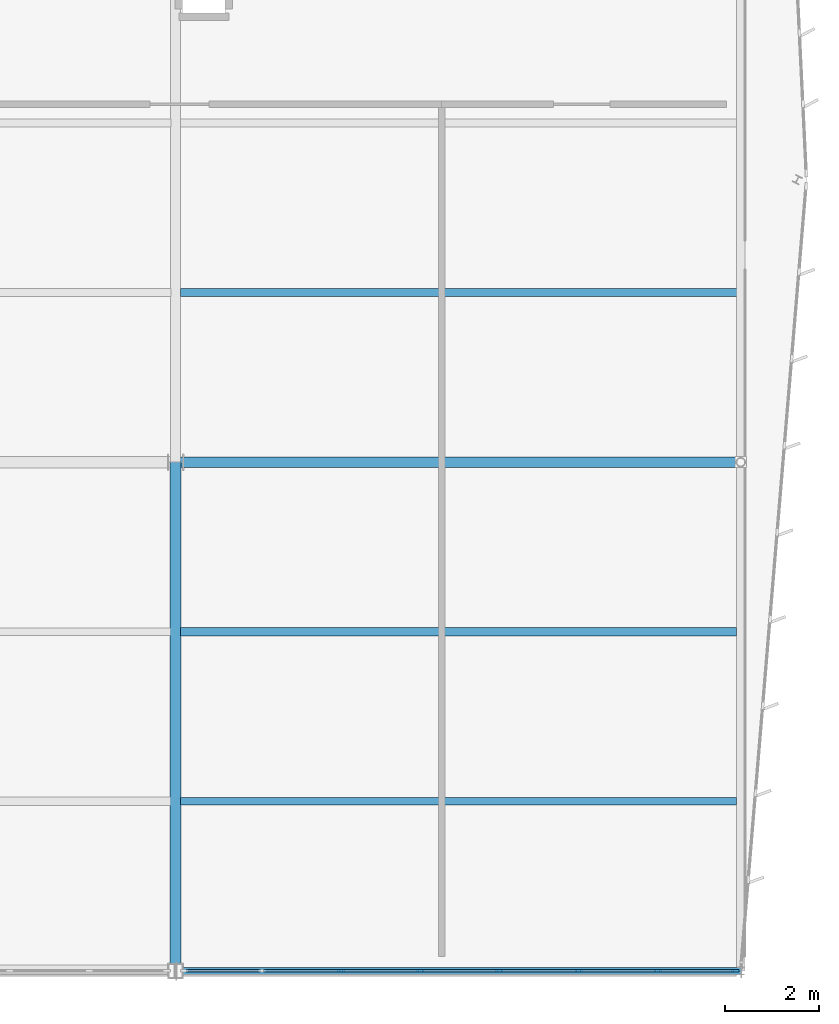
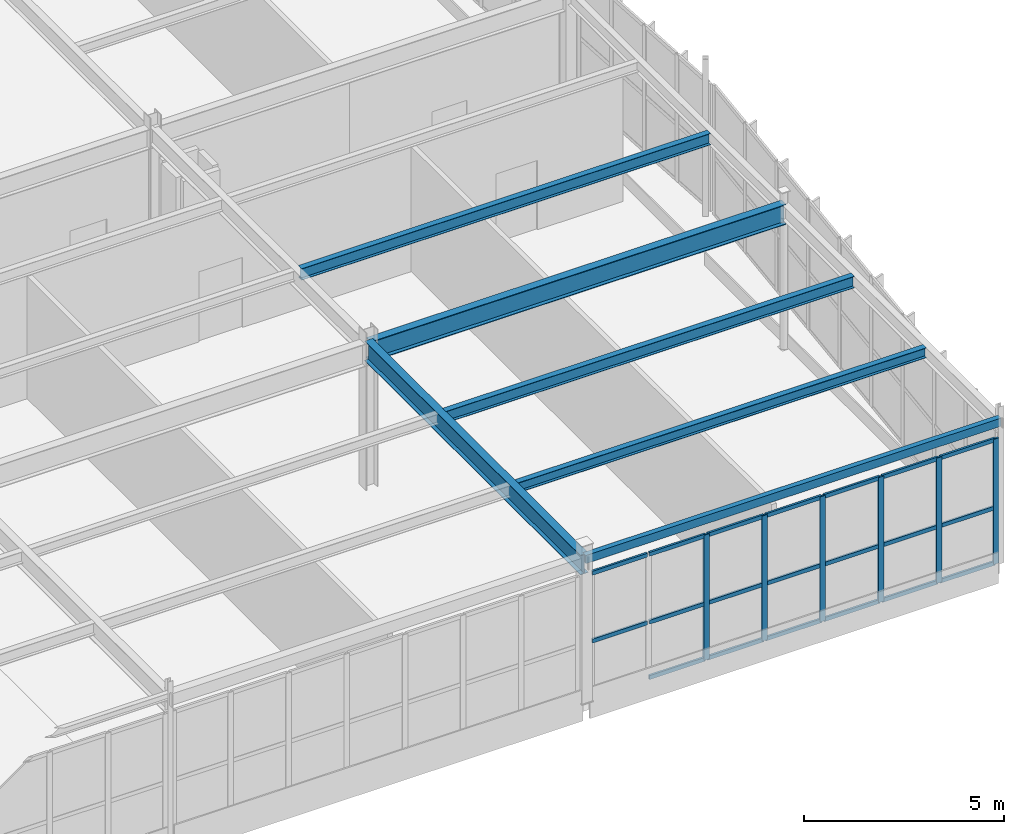
# One storey, part 90 of 186: 26 members, 6 beams, 1 element without a shape of its own.
"""IFC4 building model written with IfcOpenShell, lengths in metres."""

from ifc_helpers import new_model, si_unit, direction, frame, origin, origin_2d, place, context, subcontext, project, spatial, rectangle, hollow_rectangle, i_section, extrude, material, layer, layer_set, material_profile, profile_set, type_object, element, aggregate, save


model = new_model("IFC4")

# Units and contexts
model_context = context("Model", 3, precision=1e-05, world=origin(), true_north=direction((0.0, 1.0)))
body_context = subcontext(model_context, "Body", "Model", "MODEL_VIEW")
ifc_project = project(units=[si_unit("LENGTHUNIT", "METRE"), si_unit("AREAUNIT", "SQUARE_METRE"), si_unit("VOLUMEUNIT", "CUBIC_METRE"), si_unit("PLANEANGLEUNIT", "RADIAN"), si_unit("MASSUNIT", "GRAM", prefix="KILO")], contexts=[model_context])

# Site, building, storey
site_placement = place(None, origin())
site = spatial("IfcSite", under=ifc_project, at=site_placement, CompositionType="ELEMENT")
building_placement = place(site_placement, origin())
building = spatial("IfcBuilding", under=site, at=building_placement, Name="Tarnwether General Hospital", CompositionType="ELEMENT")
storey_placement = place(building_placement, frame((0.0, 0.0, 9.60009765625)))
storey = spatial("IfcBuildingStorey", under=building, at=storey_placement, Name="L02", CompositionType="ELEMENT", Elevation=9.60009765625)

# Beams
ifc_material_1 = material(Name="Steel Grade 350 (350 MPa)", Category="steel")
ifc_material_profile_1 = material_profile(ifc_material_1, i_section(OverallWidth=0.22900390625, OverallDepth=0.612060546875, WebThickness=0.011962890625, FlangeThickness=0.01953125, at=origin_2d()), Name="610UB125")
ifc_profile_set_1 = profile_set([ifc_material_profile_1], Name="Steel Grade 350 (350 MPa)")
beam_type_1 = type_object("IfcBeamType", Name="BM-G03", PredefinedType="BEAM", material=ifc_profile_set_1)
beam_1_placement = place(storey_placement, frame((180.0, 10.800048828125, 4.1337890625), z_axis=(1.0, 0.0, 0.0), x_axis=(0.0, 1.0, 0.0)))
element("IfcBeam", 1, at=beam_1_placement, inside=storey, type_object=beam_type_1, Name="Primary Girder BMG-L02-18000_1080-19200_1080-1624", PredefinedType="BEAM", context=body_context, shape_type="SweptSolid", body=[
    extrude(i_section(OverallWidth=0.22900390625, OverallDepth=0.612060546875, WebThickness=0.011962890625, FlangeThickness=0.01953125, at=origin_2d()), origin(), (0.0, 0.0, 1.0), 12.0),
])
ifc_material_2 = material(Name="Steel Grade 350 (350 MPa)", Category="steel")
ifc_material_profile_2 = material_profile(ifc_material_2, i_section(OverallWidth=0.22802734375, OverallDepth=0.60205078125, WebThickness=0.010498046875, FlangeThickness=0.014892578125, at=origin_2d()), Name="610UB101")
ifc_profile_set_2 = profile_set([ifc_material_profile_2], Name="Steel Grade 350 (350 MPa)")
beam_type_2 = type_object("IfcBeamType", Name="BM-G05", PredefinedType="BEAM", material=ifc_profile_set_2)
beam_2_placement = place(storey_placement, frame((180.0, 0.0, 4.138916015625), z_axis=(0.0, 1.0, 0.0), x_axis=(-1.0, 0.0, 0.0)))
element("IfcBeam", 2, at=beam_2_placement, inside=storey, type_object=beam_type_2, Name="Primary Girder BMG-L02-18000_0-18000_1080-1623", PredefinedType="BEAM", context=body_context, shape_type="SweptSolid", body=[
    extrude(i_section(OverallWidth=0.22802734375, OverallDepth=0.60205078125, WebThickness=0.010498046875, FlangeThickness=0.014892578125, at=origin_2d()), origin(), (0.0, 0.0, 1.0), 10.800048828125),
])
ifc_material_3 = material(Name="Steel Grade 350 (350 MPa)", Category="steel")
ifc_material_profile_3 = material_profile(ifc_material_3, i_section(OverallWidth=0.166015625, OverallDepth=0.306884765625, WebThickness=0.006591796875, FlangeThickness=0.01171875, at=origin_2d()), Name="310UB46.2")
ifc_profile_set_3 = profile_set([ifc_material_profile_3], Name="Steel Grade 350 (350 MPa)")
beam_type_3 = type_object("IfcBeamType", Name="BM-J05", PredefinedType="JOIST", material=ifc_profile_set_3)
beam_3_placement = place(storey_placement, frame((180.10791015625, 3.60009765625, 4.286376953125), z_axis=(1.0, 0.0, 0.0), x_axis=(0.0, 1.0, 0.0)))
element("IfcBeam", 3, at=beam_3_placement, inside=storey, type_object=beam_type_3, Name="Composite Floor Joist BMG-L02-18011_360-19191_360-1740", PredefinedType="JOIST", context=body_context, shape_type="SweptSolid", body=[
    extrude(i_section(OverallWidth=0.166015625, OverallDepth=0.306884765625, WebThickness=0.006591796875, FlangeThickness=0.01171875, at=origin_2d()), origin(), (0.0, 0.0, 1.0), 11.802978515625),
])
ifc_material_4 = material(Name="Steel Grade 350 (350 MPa)", Category="steel")
ifc_material_profile_4 = material_profile(ifc_material_4, i_section(OverallWidth=0.1708984375, OverallDepth=0.35205078125, WebThickness=0.0068359375, FlangeThickness=0.009765625, at=origin_2d()), Name="360UB44.7")
ifc_profile_set_4 = profile_set([ifc_material_profile_4], Name="Steel Grade 350 (350 MPa)")
beam_type_4 = type_object("IfcBeamType", Name="BM-J06", PredefinedType="JOIST", material=ifc_profile_set_4)
beam_4_placement = place(storey_placement, frame((180.10791015625, 7.199951171875, 4.263916015625), z_axis=(1.0, 0.0, 0.0), x_axis=(0.0, 1.0, 0.0)))
element("IfcBeam", 4, at=beam_4_placement, inside=storey, type_object=beam_type_4, Name="Composite Floor Joist BMG-L02-18011_720-19191_720-1741", PredefinedType="JOIST", context=body_context, shape_type="SweptSolid", body=[
    extrude(i_section(OverallWidth=0.1708984375, OverallDepth=0.35205078125, WebThickness=0.0068359375, FlangeThickness=0.009765625, at=origin_2d()), origin(), (0.0, 0.0, 1.0), 11.802978515625),
])
beam_5_placement = place(storey_placement, frame((180.09912109375, 14.39990234375, 4.263916015625), z_axis=(1.0, 0.0, 0.0), x_axis=(0.0, 1.0, 0.0)))
element("IfcBeam", 5, at=beam_5_placement, inside=storey, type_object=beam_type_4, Name="Composite Floor Joist BMG-L02-18010_1440-19192_1440-1742", PredefinedType="JOIST", context=body_context, shape_type="SweptSolid", body=[
    extrude(i_section(OverallWidth=0.1708984375, OverallDepth=0.35205078125, WebThickness=0.0068359375, FlangeThickness=0.009765625, at=origin_2d()), origin(), (0.0, 0.0, 1.0), 11.81787109375),
])
ifc_material_5 = material(Name="Steel Grade C350L0 (350 MPa)", Category="steel")
ifc_material_profile_5 = material_profile(ifc_material_5, hollow_rectangle(XDim=0.14990234375, YDim=0.25, WallThickness=0.008056640625, at=origin_2d()), Name="RHS250x150x8")
ifc_profile_set_5 = profile_set([ifc_material_profile_5], Name="Steel Grade C350L0 (350 MPa)")
beam_type_5 = type_object("IfcBeamType", Name="BM-SP8", PredefinedType="SPANDREL", material=ifc_profile_set_5)
beam_6_placement = place(storey_placement, frame((180.0, 0.0, 4.31494140625), z_axis=(1.0, 0.0, 0.0), x_axis=(0.0, 1.0, 0.0)))
element("IfcBeam", 6, at=beam_6_placement, inside=storey, type_object=beam_type_5, Name="Primary Girder BMG-L02-18000_0-19200_0-1622", PredefinedType="SPANDREL", context=body_context, shape_type="SweptSolid", body=[
    extrude(hollow_rectangle(XDim=0.14990234375, YDim=0.25, WallThickness=0.008056640625, at=origin_2d()), origin(), (0.0, 0.0, 1.0), 12.0),
])

# Curtain wall, members
ifc_material_6 = material(Name="Anodised aluminium", Category="aluminium")
ifc_layer = layer(ifc_material_6, 0.159912109375)
ifc_layer_set = layer_set([ifc_layer], Name="Anodised aluminium")
curtain_wall_type = type_object("IfcCurtainWallType", Name="CW-19", PredefinedType="NOTDEFINED", material=ifc_layer_set)
curtain_wall_placement = place(storey_placement, origin())
curtain_wall = element("IfcCurtainWall", 7, at=curtain_wall_placement, inside=storey, type_object=curtain_wall_type, Name="Curtain Wall CWG-L02-1919_0-0456", PredefinedType="NOTDEFINED")
ifc_material_7 = material(Name="Anodised aluminium", Category="aluminium")
ifc_material_profile_6 = material_profile(ifc_material_7, rectangle(XDim=0.06005859375, YDim=0.159912109375, at=origin_2d()), Name="ALU-MUL-60x160")
ifc_profile_set_6 = profile_set([ifc_material_profile_6], Name="Anodised aluminium")
member_type_1 = type_object("IfcMemberType", Name="CW-ML1", PredefinedType="MULLION", material=ifc_profile_set_6)
member_1_placement = place(storey_placement, frame((191.885009765625, 0.0, 0.0), z_axis=(0.0, 0.0, 1.0), x_axis=(0.0, -1.0, 0.0)))
member_1 = element("IfcMember", 8, at=member_1_placement, type_object=member_type_1, Name="CW-19 mullion 1", PredefinedType="MULLION", context=body_context, shape_type="SweptSolid", body=[
    extrude(rectangle(XDim=0.06005859375, YDim=0.159912109375, at=origin_2d()), origin(), (0.0, 0.0, 1.0), 3.822998046875),
])
member_2_placement = place(storey_placement, frame((190.2353515625, 0.0, 0.0), z_axis=(0.0, 0.0, 1.0), x_axis=(0.0, -1.0, 0.0)))
member_2 = element("IfcMember", 9, at=member_2_placement, type_object=member_type_1, Name="CW-19 mullion 2", PredefinedType="MULLION", context=body_context, shape_type="SweptSolid", body=[
    extrude(rectangle(XDim=0.06005859375, YDim=0.159912109375, at=origin_2d()), origin(), (0.0, 0.0, 1.0), 3.822998046875),
])
member_3_placement = place(storey_placement, frame((188.555908203125, 0.0, 0.0), z_axis=(0.0, 0.0, 1.0), x_axis=(0.0, -1.0, 0.0)))
member_3 = element("IfcMember", 10, at=member_3_placement, type_object=member_type_1, Name="CW-19 mullion 3", PredefinedType="MULLION", context=body_context, shape_type="SweptSolid", body=[
    extrude(rectangle(XDim=0.06005859375, YDim=0.159912109375, at=origin_2d()), origin(), (0.0, 0.0, 1.0), 3.822998046875),
])
member_4_placement = place(storey_placement, frame((186.876220703125, 0.0, 0.0), z_axis=(0.0, 0.0, 1.0), x_axis=(0.0, -1.0, 0.0)))
member_4 = element("IfcMember", 11, at=member_4_placement, type_object=member_type_1, Name="CW-19 mullion 4", PredefinedType="MULLION", context=body_context, shape_type="SweptSolid", body=[
    extrude(rectangle(XDim=0.06005859375, YDim=0.159912109375, at=origin_2d()), origin(), (0.0, 0.0, 1.0), 3.822998046875),
])
member_5_placement = place(storey_placement, frame((185.19677734375, 0.0, 0.0), z_axis=(0.0, 0.0, 1.0), x_axis=(0.0, -1.0, 0.0)))
member_5 = element("IfcMember", 12, at=member_5_placement, type_object=member_type_1, Name="CW-19 mullion 5", PredefinedType="MULLION", context=body_context, shape_type="SweptSolid", body=[
    extrude(rectangle(XDim=0.06005859375, YDim=0.159912109375, at=origin_2d()), origin(), (0.0, 0.0, 1.0), 3.822998046875),
])
member_6_placement = place(storey_placement, frame((183.51708984375, 0.0, 0.0), z_axis=(0.0, 0.0, 1.0), x_axis=(0.0, -1.0, 0.0)))
member_6 = element("IfcMember", 13, at=member_6_placement, type_object=member_type_1, Name="CW-19 mullion 6", PredefinedType="MULLION", context=body_context, shape_type="SweptSolid", body=[
    extrude(rectangle(XDim=0.06005859375, YDim=0.159912109375, at=origin_2d()), origin(), (0.0, 0.0, 1.0), 3.822998046875),
])
ifc_material_8 = material(Name="Anodised aluminium", Category="aluminium")
ifc_material_profile_7 = material_profile(ifc_material_8, rectangle(XDim=0.06005859375, YDim=0.1201171875, at=origin_2d()), Name="ALU-TRN-60x120")
ifc_profile_set_7 = profile_set([ifc_material_profile_7], Name="Anodised aluminium")
member_type_2 = type_object("IfcMemberType", Name="CW-TR1", PredefinedType="USERDEFINED", material=ifc_profile_set_7)
member_7_placement = place(storey_placement, frame((191.85498046875, 0.0, 0.02978515625), z_axis=(-1.0, 0.0, 0.0), x_axis=(0.0, -1.0, 0.0)))
member_7 = element("IfcMember", 14, at=member_7_placement, type_object=member_type_2, Name="CW-19 transom 1.1", ObjectType="TRANSOM", PredefinedType="USERDEFINED", context=body_context, shape_type="SweptSolid", body=[
    extrude(rectangle(XDim=0.06005859375, YDim=0.1201171875, at=origin_2d()), origin(), (0.0, 0.0, 1.0), 1.589599609375),
])
member_8_placement = place(storey_placement, frame((191.85498046875, 0.0, 1.72021484375), z_axis=(-1.0, 0.0, 0.0), x_axis=(0.0, -1.0, 0.0)))
member_8 = element("IfcMember", 15, at=member_8_placement, type_object=member_type_2, Name="CW-19 transom 1.2", ObjectType="TRANSOM", PredefinedType="USERDEFINED", context=body_context, shape_type="SweptSolid", body=[
    extrude(rectangle(XDim=0.06005859375, YDim=0.1201171875, at=origin_2d()), origin(), (0.0, 0.0, 1.0), 1.589599609375),
])
member_9_placement = place(storey_placement, frame((191.85498046875, 0.0, 3.79296875), z_axis=(-1.0, 0.0, 0.0), x_axis=(0.0, -1.0, 0.0)))
member_9 = element("IfcMember", 16, at=member_9_placement, type_object=member_type_2, Name="CW-19 transom 1.3", ObjectType="TRANSOM", PredefinedType="USERDEFINED", context=body_context, shape_type="SweptSolid", body=[
    extrude(rectangle(XDim=0.06005859375, YDim=0.1201171875, at=origin_2d()), origin(), (0.0, 0.0, 1.0), 1.589599609375),
])
member_10_placement = place(storey_placement, frame((190.205322265625, 0.0, 0.02978515625), z_axis=(-1.0, 0.0, 0.0), x_axis=(0.0, -1.0, 0.0)))
member_10 = element("IfcMember", 17, at=member_10_placement, type_object=member_type_2, Name="CW-19 transom 2.1", ObjectType="TRANSOM", PredefinedType="USERDEFINED", context=body_context, shape_type="SweptSolid", body=[
    extrude(rectangle(XDim=0.06005859375, YDim=0.1201171875, at=origin_2d()), origin(), (0.0, 0.0, 1.0), 1.619384765625),
])
member_11_placement = place(storey_placement, frame((190.205322265625, 0.0, 1.72021484375), z_axis=(-1.0, 0.0, 0.0), x_axis=(0.0, -1.0, 0.0)))
member_11 = element("IfcMember", 18, at=member_11_placement, type_object=member_type_2, Name="CW-19 transom 2.2", ObjectType="TRANSOM", PredefinedType="USERDEFINED", context=body_context, shape_type="SweptSolid", body=[
    extrude(rectangle(XDim=0.06005859375, YDim=0.1201171875, at=origin_2d()), origin(), (0.0, 0.0, 1.0), 1.619384765625),
])
member_12_placement = place(storey_placement, frame((190.205322265625, 0.0, 3.79296875), z_axis=(-1.0, 0.0, 0.0), x_axis=(0.0, -1.0, 0.0)))
member_12 = element("IfcMember", 19, at=member_12_placement, type_object=member_type_2, Name="CW-19 transom 2.3", ObjectType="TRANSOM", PredefinedType="USERDEFINED", context=body_context, shape_type="SweptSolid", body=[
    extrude(rectangle(XDim=0.06005859375, YDim=0.1201171875, at=origin_2d()), origin(), (0.0, 0.0, 1.0), 1.619384765625),
])
member_13_placement = place(storey_placement, frame((188.52587890625, 0.0, 0.02978515625), z_axis=(-1.0, 0.0, 0.0), x_axis=(0.0, -1.0, 0.0)))
member_13 = element("IfcMember", 20, at=member_13_placement, type_object=member_type_2, Name="CW-19 transom 3.1", ObjectType="TRANSOM", PredefinedType="USERDEFINED", context=body_context, shape_type="SweptSolid", body=[
    extrude(rectangle(XDim=0.06005859375, YDim=0.1201171875, at=origin_2d()), origin(), (0.0, 0.0, 1.0), 1.61962890625),
])
member_14_placement = place(storey_placement, frame((188.52587890625, 0.0, 1.72021484375), z_axis=(-1.0, 0.0, 0.0), x_axis=(0.0, -1.0, 0.0)))
member_14 = element("IfcMember", 21, at=member_14_placement, type_object=member_type_2, Name="CW-19 transom 3.2", ObjectType="TRANSOM", PredefinedType="USERDEFINED", context=body_context, shape_type="SweptSolid", body=[
    extrude(rectangle(XDim=0.06005859375, YDim=0.1201171875, at=origin_2d()), origin(), (0.0, 0.0, 1.0), 1.61962890625),
])
member_15_placement = place(storey_placement, frame((188.52587890625, 0.0, 3.79296875), z_axis=(-1.0, 0.0, 0.0), x_axis=(0.0, -1.0, 0.0)))
member_15 = element("IfcMember", 22, at=member_15_placement, type_object=member_type_2, Name="CW-19 transom 3.3", ObjectType="TRANSOM", PredefinedType="USERDEFINED", context=body_context, shape_type="SweptSolid", body=[
    extrude(rectangle(XDim=0.06005859375, YDim=0.1201171875, at=origin_2d()), origin(), (0.0, 0.0, 1.0), 1.61962890625),
])
member_16_placement = place(storey_placement, frame((186.84619140625, 0.0, 0.02978515625), z_axis=(-1.0, 0.0, 0.0), x_axis=(0.0, -1.0, 0.0)))
member_16 = element("IfcMember", 23, at=member_16_placement, type_object=member_type_2, Name="CW-19 transom 4.1", ObjectType="TRANSOM", PredefinedType="USERDEFINED", context=body_context, shape_type="SweptSolid", body=[
    extrude(rectangle(XDim=0.06005859375, YDim=0.1201171875, at=origin_2d()), origin(), (0.0, 0.0, 1.0), 1.619384765625),
])
member_17_placement = place(storey_placement, frame((186.84619140625, 0.0, 1.72021484375), z_axis=(-1.0, 0.0, 0.0), x_axis=(0.0, -1.0, 0.0)))
member_17 = element("IfcMember", 24, at=member_17_placement, type_object=member_type_2, Name="CW-19 transom 4.2", ObjectType="TRANSOM", PredefinedType="USERDEFINED", context=body_context, shape_type="SweptSolid", body=[
    extrude(rectangle(XDim=0.06005859375, YDim=0.1201171875, at=origin_2d()), origin(), (0.0, 0.0, 1.0), 1.619384765625),
])
member_18_placement = place(storey_placement, frame((186.84619140625, 0.0, 3.79296875), z_axis=(-1.0, 0.0, 0.0), x_axis=(0.0, -1.0, 0.0)))
member_18 = element("IfcMember", 25, at=member_18_placement, type_object=member_type_2, Name="CW-19 transom 4.3", ObjectType="TRANSOM", PredefinedType="USERDEFINED", context=body_context, shape_type="SweptSolid", body=[
    extrude(rectangle(XDim=0.06005859375, YDim=0.1201171875, at=origin_2d()), origin(), (0.0, 0.0, 1.0), 1.619384765625),
])
member_19_placement = place(storey_placement, frame((185.166748046875, 0.0, 0.02978515625), z_axis=(-1.0, 0.0, 0.0), x_axis=(0.0, -1.0, 0.0)))
member_19 = element("IfcMember", 26, at=member_19_placement, type_object=member_type_2, Name="CW-19 transom 5.1", ObjectType="TRANSOM", PredefinedType="USERDEFINED", context=body_context, shape_type="SweptSolid", body=[
    extrude(rectangle(XDim=0.06005859375, YDim=0.1201171875, at=origin_2d()), origin(), (0.0, 0.0, 1.0), 1.61962890625),
])
member_20_placement = place(storey_placement, frame((185.166748046875, 0.0, 1.72021484375), z_axis=(-1.0, 0.0, 0.0), x_axis=(0.0, -1.0, 0.0)))
member_20 = element("IfcMember", 27, at=member_20_placement, type_object=member_type_2, Name="CW-19 transom 5.2", ObjectType="TRANSOM", PredefinedType="USERDEFINED", context=body_context, shape_type="SweptSolid", body=[
    extrude(rectangle(XDim=0.06005859375, YDim=0.1201171875, at=origin_2d()), origin(), (0.0, 0.0, 1.0), 1.61962890625),
])
member_21_placement = place(storey_placement, frame((185.166748046875, 0.0, 3.79296875), z_axis=(-1.0, 0.0, 0.0), x_axis=(0.0, -1.0, 0.0)))
member_21 = element("IfcMember", 28, at=member_21_placement, type_object=member_type_2, Name="CW-19 transom 5.3", ObjectType="TRANSOM", PredefinedType="USERDEFINED", context=body_context, shape_type="SweptSolid", body=[
    extrude(rectangle(XDim=0.06005859375, YDim=0.1201171875, at=origin_2d()), origin(), (0.0, 0.0, 1.0), 1.61962890625),
])
member_22_placement = place(storey_placement, frame((183.487060546875, 0.0, 0.02978515625), z_axis=(-1.0, 0.0, 0.0), x_axis=(0.0, -1.0, 0.0)))
member_22 = element("IfcMember", 29, at=member_22_placement, type_object=member_type_2, Name="CW-19 transom 6.1", ObjectType="TRANSOM", PredefinedType="USERDEFINED", context=body_context, shape_type="SweptSolid", body=[
    extrude(rectangle(XDim=0.06005859375, YDim=0.1201171875, at=origin_2d()), origin(), (0.0, 0.0, 1.0), 1.619384765625),
])
member_23_placement = place(storey_placement, frame((183.487060546875, 0.0, 1.72021484375), z_axis=(-1.0, 0.0, 0.0), x_axis=(0.0, -1.0, 0.0)))
member_23 = element("IfcMember", 30, at=member_23_placement, type_object=member_type_2, Name="CW-19 transom 6.2", ObjectType="TRANSOM", PredefinedType="USERDEFINED", context=body_context, shape_type="SweptSolid", body=[
    extrude(rectangle(XDim=0.06005859375, YDim=0.1201171875, at=origin_2d()), origin(), (0.0, 0.0, 1.0), 1.619384765625),
])
member_24_placement = place(storey_placement, frame((183.487060546875, 0.0, 3.79296875), z_axis=(-1.0, 0.0, 0.0), x_axis=(0.0, -1.0, 0.0)))
member_24 = element("IfcMember", 31, at=member_24_placement, type_object=member_type_2, Name="CW-19 transom 6.3", ObjectType="TRANSOM", PredefinedType="USERDEFINED", context=body_context, shape_type="SweptSolid", body=[
    extrude(rectangle(XDim=0.06005859375, YDim=0.1201171875, at=origin_2d()), origin(), (0.0, 0.0, 1.0), 1.619384765625),
])
member_25_placement = place(storey_placement, frame((181.8076171875, 0.0, 1.72021484375), z_axis=(-1.0, 0.0, 0.0), x_axis=(0.0, -1.0, 0.0)))
member_25 = element("IfcMember", 32, at=member_25_placement, type_object=member_type_2, Name="CW-19 transom 7.2", ObjectType="TRANSOM", PredefinedType="USERDEFINED", context=body_context, shape_type="SweptSolid", body=[
    extrude(rectangle(XDim=0.06005859375, YDim=0.1201171875, at=origin_2d()), origin(), (0.0, 0.0, 1.0), 1.589599609375),
])
member_26_placement = place(storey_placement, frame((181.8076171875, 0.0, 3.79296875), z_axis=(-1.0, 0.0, 0.0), x_axis=(0.0, -1.0, 0.0)))
member_26 = element("IfcMember", 33, at=member_26_placement, type_object=member_type_2, Name="CW-19 transom 7.3", ObjectType="TRANSOM", PredefinedType="USERDEFINED", context=body_context, shape_type="SweptSolid", body=[
    extrude(rectangle(XDim=0.06005859375, YDim=0.1201171875, at=origin_2d()), origin(), (0.0, 0.0, 1.0), 1.589599609375),
])
aggregate(curtain_wall, [member_1, member_2, member_3, member_4, member_5, member_6, member_7, member_8, member_9, member_10, member_11, member_12, member_13, member_14, member_15, member_16, member_17, member_18, member_19, member_20, member_21, member_22, member_23, member_24, member_25, member_26])

save(model, "model.ifc")
